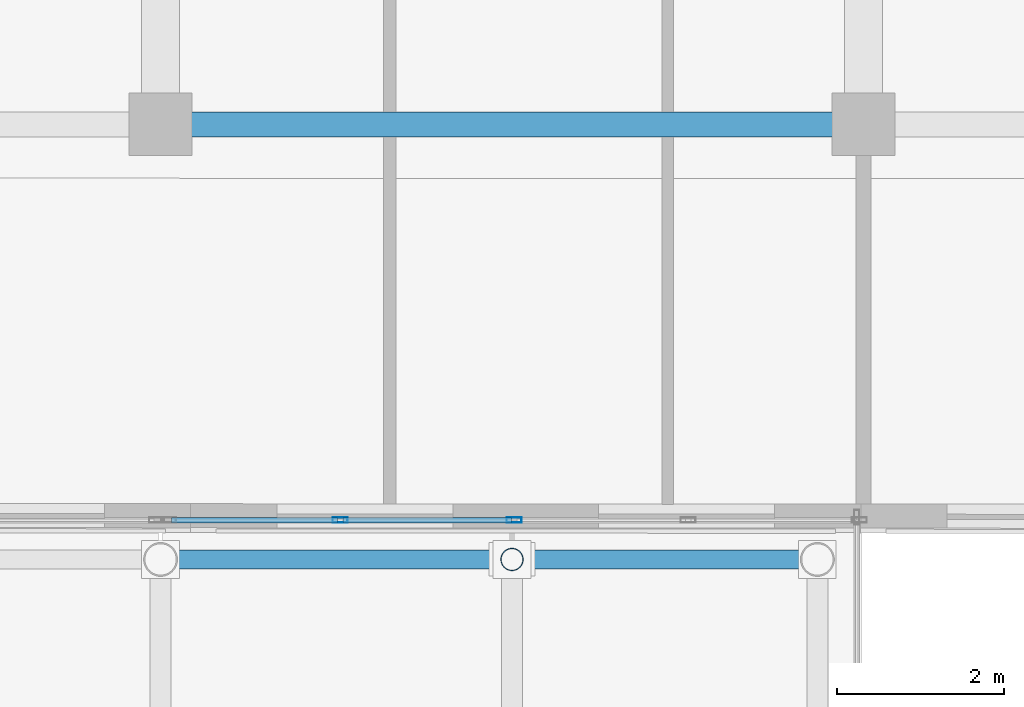
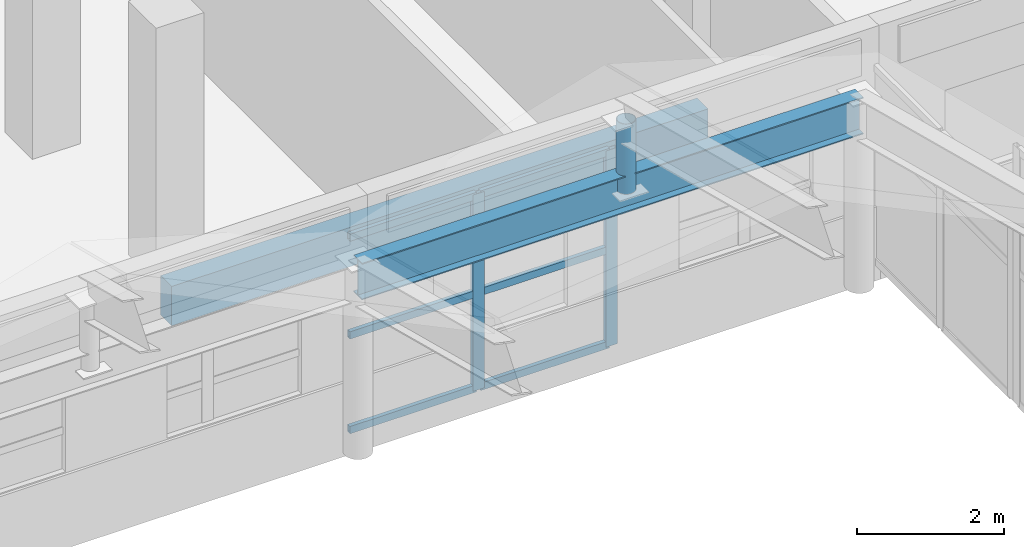
# One storey, part 88 of 184: 9 members, 2 beams, 1 element without a shape of its own.
"""IFC4 building model written with IfcOpenShell, lengths in metres."""

from ifc_helpers import new_model, si_unit, direction, frame, origin, origin_2d, place, context, subcontext, project, spatial, rectangle, hollow_rectangle, hollow_circle, i_section, extrude, material, material_profile, profile_set, type_object, element, aggregate, save


model = new_model("IFC4")

# Units and contexts
model_context = context("Model", 3, precision=1e-05, world=origin(), true_north=direction((0.0, 1.0)))
body_context = subcontext(model_context, "Body", "Model", "MODEL_VIEW")
ifc_project = project(units=[si_unit("LENGTHUNIT", "METRE"), si_unit("AREAUNIT", "SQUARE_METRE"), si_unit("VOLUMEUNIT", "CUBIC_METRE"), si_unit("PLANEANGLEUNIT", "RADIAN"), si_unit("MASSUNIT", "GRAM", prefix="KILO")], contexts=[model_context])

# Site, building, storey
site_placement = place(None, origin())
site = spatial("IfcSite", under=ifc_project, at=site_placement, CompositionType="ELEMENT")
building_placement = place(site_placement, origin())
building = spatial("IfcBuilding", under=site, at=building_placement, Name="Selatvlak General Hospital", CompositionType="ELEMENT")
storey_placement = place(building_placement, frame((0.0, 0.0, 15.0)))
storey = spatial("IfcBuildingStorey", under=building, at=storey_placement, Name="L03", CompositionType="ELEMENT", Elevation=15.0)

# Beams
ifc_material_1 = material(Name="Steel S355", Category="steel")
ifc_material_profile_1 = material_profile(ifc_material_1, i_section(OverallWidth=0.228271484375, OverallDepth=0.607666015625, WebThickness=0.010986328125, FlangeThickness=0.017333984375, at=origin_2d()), Name="UB 610x229x113")
ifc_profile_set_1 = profile_set([ifc_material_profile_1], Name="Steel S355")
beam_type_1 = type_object("IfcBeamType", Name="BM-RF4", PredefinedType="BEAM", material=ifc_profile_set_1)
beam_1_placement = place(storey_placement, frame((73.199951171875, 83.449951171875, 2.87109375), z_axis=(1.0, 0.0, 0.0), x_axis=(0.0, 1.0, 0.0)))
element("IfcBeam", 1, at=beam_1_placement, inside=storey, type_object=beam_type_1, Name="Folded roof N valley girder 7", PredefinedType="BEAM", context=body_context, shape_type="SweptSolid", body=[
    extrude(i_section(OverallWidth=0.228271484375, OverallDepth=0.607666015625, WebThickness=0.010986328125, FlangeThickness=0.017333984375, at=origin_2d()), origin(), (0.0, 0.0, 1.0), 7.85009765625),
])
ifc_material_2 = material(Name="Concrete C40/50", Category="concrete")
ifc_material_profile_2 = material_profile(ifc_material_2, rectangle(XDim=0.300048828125, YDim=0.64990234375, at=origin_2d()), Name="RC-SP 300x650")
ifc_profile_set_2 = profile_set([ifc_material_profile_2], Name="Concrete C40/50")
beam_type_2 = type_object("IfcBeamType", Name="BM-SP1", PredefinedType="SPANDREL", material=ifc_profile_set_2)
beam_2_placement = place(storey_placement, frame((73.199951171875, 88.64990234375, -0.6650390625), z_axis=(1.0, 0.0, 0.0), x_axis=(0.0, 1.0, 0.0)))
element("IfcBeam", 2, at=beam_2_placement, inside=storey, type_object=beam_type_2, Name="Beam BMR-L03-1189", PredefinedType="SPANDREL", context=body_context, shape_type="SweptSolid", body=[
    extrude(rectangle(XDim=0.300048828125, YDim=0.64990234375, at=origin_2d()), origin(), (0.0, 0.0, 1.0), 8.400146484375),
])

# Curtain wall, members
ifc_material_3 = material(Name="Solar-control Low-E double glazing", Category="glass")
curtain_wall_type = type_object("IfcCurtainWallType", Name="CW-CW-04", PredefinedType="USERDEFINED", material=ifc_material_3)
curtain_wall_placement = place(storey_placement, origin())
curtain_wall = element("IfcCurtainWall", 3, at=curtain_wall_placement, inside=storey, type_object=curtain_wall_type, Name="Glazed facade curtain wall CW-L03-0722", ObjectType="STICK GLAZING WALL", PredefinedType="USERDEFINED")
ifc_material_4 = material(Name="Dark anodised aluminium mullion", Category="aluminium")
ifc_material_profile_3 = material_profile(ifc_material_4, hollow_rectangle(XDim=0.06494140625, YDim=0.179931640625, WallThickness=0.00439453125, at=origin_2d()), Name="AL-MUL 65x180x4.5")
ifc_profile_set_3 = profile_set([ifc_material_profile_3], Name="Dark anodised aluminium mullion")
member_type_1 = type_object("IfcMemberType", Name="CWM-02", PredefinedType="MULLION", material=ifc_profile_set_3)
member_1_placement = place(storey_placement, frame((75.344970703125, 83.919921875, 0.0), z_axis=(0.0, 0.0, 1.0), x_axis=(0.0, 1.0, 0.0)))
member_1 = element("IfcMember", 4, at=member_1_placement, type_object=member_type_1, Name="CW-04 mullion 2", PredefinedType="MULLION", context=body_context, shape_type="SweptSolid", body=[
    extrude(hollow_rectangle(XDim=0.06494140625, YDim=0.179931640625, WallThickness=0.00439453125, at=origin_2d()), origin(), (0.0, 0.0, 1.0), 3.25),
])
member_2_placement = place(storey_placement, frame((77.425048828125, 83.919921875, 0.0), z_axis=(0.0, 0.0, 1.0), x_axis=(0.0, 1.0, 0.0)))
member_2 = element("IfcMember", 5, at=member_2_placement, type_object=member_type_1, Name="CW-04 mullion 3", PredefinedType="MULLION", context=body_context, shape_type="SweptSolid", body=[
    extrude(hollow_rectangle(XDim=0.06494140625, YDim=0.179931640625, WallThickness=0.00439453125, at=origin_2d()), origin(), (0.0, 0.0, 1.0), 3.25),
])
ifc_material_profile_4 = material_profile(ifc_material_4, hollow_rectangle(XDim=0.06494140625, YDim=0.1201171875, WallThickness=0.00390625, at=origin_2d()), Name="AL-TRN 65x120x4")
ifc_profile_set_4 = profile_set([ifc_material_profile_4], Name="Dark anodised aluminium mullion")
member_type_2 = type_object("IfcMemberType", Name="CWT-01", PredefinedType="USERDEFINED", material=ifc_profile_set_4)
member_3_placement = place(storey_placement, frame((73.330078125, 83.919921875, 0.032470703125), z_axis=(1.0, 0.0, 0.0), x_axis=(0.0, 1.0, 0.0)))
member_3 = element("IfcMember", 6, at=member_3_placement, type_object=member_type_2, Name="CW-04 transom 1.1", ObjectType="TRANSOM", PredefinedType="USERDEFINED", context=body_context, shape_type="SweptSolid", body=[
    extrude(hollow_rectangle(XDim=0.06494140625, YDim=0.1201171875, WallThickness=0.00390625, at=origin_2d()), origin(), (0.0, 0.0, 1.0), 1.982421875),
])
member_4_placement = place(storey_placement, frame((73.330078125, 83.919921875, 1.60009765625), z_axis=(1.0, 0.0, 0.0), x_axis=(0.0, 1.0, 0.0)))
member_4 = element("IfcMember", 7, at=member_4_placement, type_object=member_type_2, Name="CW-04 transom 1.2", ObjectType="TRANSOM", PredefinedType="USERDEFINED", context=body_context, shape_type="SweptSolid", body=[
    extrude(hollow_rectangle(XDim=0.06494140625, YDim=0.1201171875, WallThickness=0.00390625, at=origin_2d()), origin(), (0.0, 0.0, 1.0), 1.982421875),
])
member_5_placement = place(storey_placement, frame((73.330078125, 83.919921875, 3.217529296875), z_axis=(1.0, 0.0, 0.0), x_axis=(0.0, 1.0, 0.0)))
member_5 = element("IfcMember", 8, at=member_5_placement, type_object=member_type_2, Name="CW-04 transom 1.3", ObjectType="TRANSOM", PredefinedType="USERDEFINED", context=body_context, shape_type="SweptSolid", body=[
    extrude(hollow_rectangle(XDim=0.06494140625, YDim=0.1201171875, WallThickness=0.00390625, at=origin_2d()), origin(), (0.0, 0.0, 1.0), 1.982421875),
])
member_6_placement = place(storey_placement, frame((75.37744140625, 83.919921875, 0.032470703125), z_axis=(1.0, 0.0, 0.0), x_axis=(0.0, 1.0, 0.0)))
member_6 = element("IfcMember", 9, at=member_6_placement, type_object=member_type_2, Name="CW-04 transom 2.1", ObjectType="TRANSOM", PredefinedType="USERDEFINED", context=body_context, shape_type="SweptSolid", body=[
    extrude(hollow_rectangle(XDim=0.06494140625, YDim=0.1201171875, WallThickness=0.00390625, at=origin_2d()), origin(), (0.0, 0.0, 1.0), 2.01513671875),
])
member_7_placement = place(storey_placement, frame((75.37744140625, 83.919921875, 1.60009765625), z_axis=(1.0, 0.0, 0.0), x_axis=(0.0, 1.0, 0.0)))
member_7 = element("IfcMember", 10, at=member_7_placement, type_object=member_type_2, Name="CW-04 transom 2.2", ObjectType="TRANSOM", PredefinedType="USERDEFINED", context=body_context, shape_type="SweptSolid", body=[
    extrude(hollow_rectangle(XDim=0.06494140625, YDim=0.1201171875, WallThickness=0.00390625, at=origin_2d()), origin(), (0.0, 0.0, 1.0), 2.01513671875),
])
member_8_placement = place(storey_placement, frame((75.37744140625, 83.919921875, 3.217529296875), z_axis=(1.0, 0.0, 0.0), x_axis=(0.0, 1.0, 0.0)))
member_8 = element("IfcMember", 11, at=member_8_placement, type_object=member_type_2, Name="CW-04 transom 2.3", ObjectType="TRANSOM", PredefinedType="USERDEFINED", context=body_context, shape_type="SweptSolid", body=[
    extrude(hollow_rectangle(XDim=0.06494140625, YDim=0.1201171875, WallThickness=0.00390625, at=origin_2d()), origin(), (0.0, 0.0, 1.0), 2.01513671875),
])
aggregate(curtain_wall, [member_1, member_2, member_3, member_4, member_5, member_6, member_7, member_8])

# Member
ifc_material_profile_5 = material_profile(ifc_material_1, hollow_circle(Radius=0.136474609375, WallThickness=0.010009765625, at=origin_2d()), Name="CHS 273.0x10")
ifc_profile_set_5 = profile_set([ifc_material_profile_5], Name="Steel S355")
member_type_3 = type_object("IfcMemberType", Name="MEM-ST1", PredefinedType="STRUT", material=ifc_profile_set_5)
member_9_placement = place(storey_placement, frame((77.39990234375, 83.449951171875, 2.87109375), z_axis=(0.0, 0.0, 1.0), x_axis=(1.0, 0.0, 0.0)))
element("IfcMember", 12, at=member_9_placement, inside=storey, type_object=member_type_3, Name="Folded roof ridge kingpost N-13", PredefinedType="STRUT", context=body_context, shape_type="SweptSolid", body=[
    extrude(hollow_circle(Radius=0.136474609375, WallThickness=0.010009765625, at=origin_2d()), origin(), (0.0, 0.0, 1.0), 1.161865234375),
])

save(model, "model.ifc")
